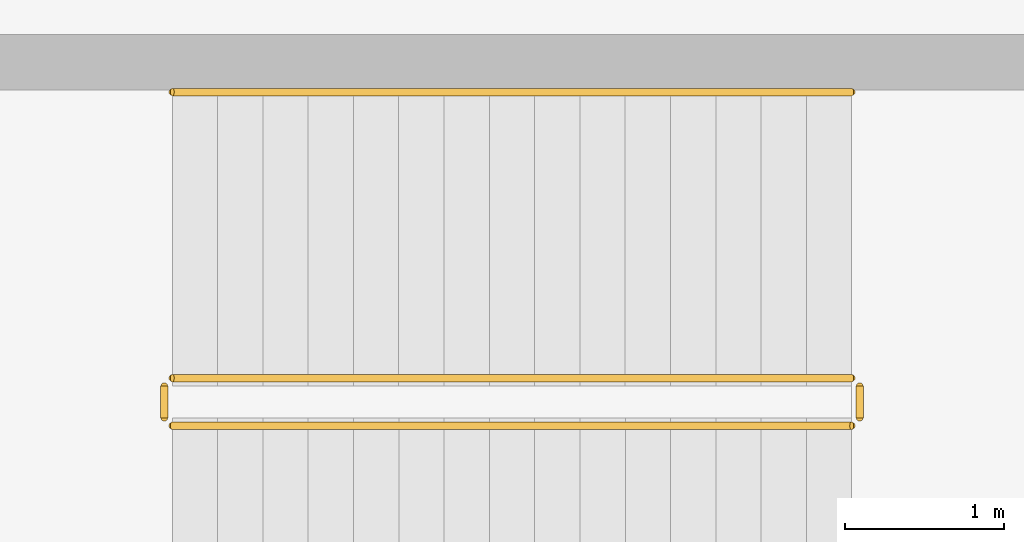
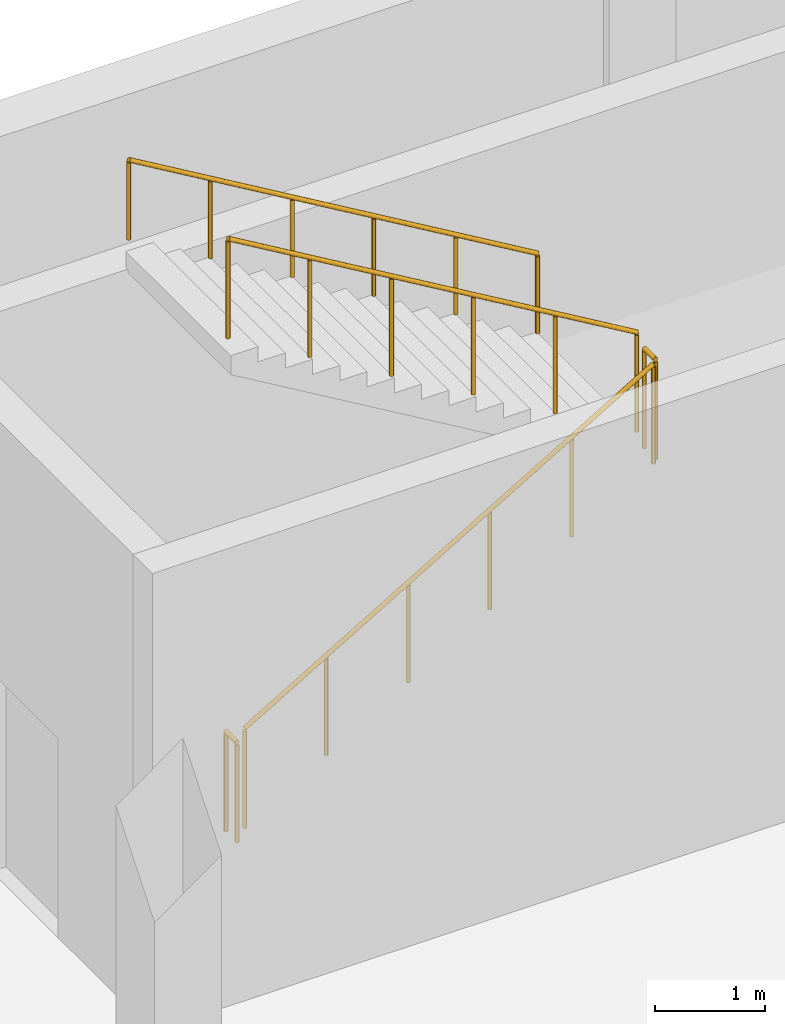
# One storey, part 37 of 41: 5 railings.
"""IFC4 building model written with IfcOpenShell, lengths in metres."""

from ifc_helpers import new_model, si_unit, direction, frame, origin, origin_2d, place, context, subcontext, project, spatial, circle, extrude, material, type_object, element, save


model = new_model("IFC4")

# Units and contexts
model_context = context("Model", 3, precision=1e-05, world=origin(), true_north=direction((0.0, 1.0)))
body_context = subcontext(model_context, "Body", "Model", "MODEL_VIEW")
ifc_project = project(units=[si_unit("LENGTHUNIT", "METRE"), si_unit("AREAUNIT", "SQUARE_METRE"), si_unit("VOLUMEUNIT", "CUBIC_METRE"), si_unit("PLANEANGLEUNIT", "RADIAN"), si_unit("MASSUNIT", "GRAM", prefix="KILO")], contexts=[model_context])

# Site, building, storey
site_placement = place(None, origin())
site = spatial("IfcSite", under=ifc_project, at=site_placement, CompositionType="ELEMENT")
building_placement = place(site_placement, origin())
building = spatial("IfcBuilding", under=site, at=building_placement, Name="Shalvenor Court Art Gallery", CompositionType="ELEMENT")
storey_placement = place(building_placement, frame((0.0, 0.0, -5.39990234375)))
storey = spatial("IfcBuildingStorey", under=building, at=storey_placement, Name="B01", CompositionType="ELEMENT", Elevation=-5.39990234375)

# Railings
ifc_material_1 = material(Name="Painted steel post-and-rail guard", Category="steel")
railing_type_1 = type_object("IfcRailingType", Name="GR-02", PredefinedType="GUARDRAIL", material=ifc_material_1)
railing_1_placement = place(storey_placement, frame((12.5, 117.64990234375, 0.168701171875)))
element("IfcRailing", 1, at=railing_1_placement, inside=storey, type_object=railing_type_1, Name="B01 ST-06 Stair Guard 1", PredefinedType="GUARDRAIL", context=body_context, shape_type="SweptSolid", body=[
    extrude(circle(Radius=0.02392578125, at=origin_2d()), frame((0.0, 0.0, 1.09619140625), z_axis=(0.860470286479, 0.0, 0.509500624227), x_axis=(0.0, 1.0, 0.0)), (0.0, 0.0, 1.0), 4.968017578125),
    extrude(circle(Radius=0.02099609375, at=origin_2d()), origin(), (0.0, 0.0, 1.0), 1.072021484375),
    extrude(circle(Radius=0.02099609375, at=origin_2d()), frame((0.85498046875, 0.0, 0.50634765625)), (0.0, 0.0, 1.0), 1.072021484375),
    extrude(circle(Radius=0.02099609375, at=origin_2d()), frame((1.7099609375, 0.0, 1.012451171875)), (0.0, 0.0, 1.0), 1.072021484375),
    extrude(circle(Radius=0.02099609375, at=origin_2d()), frame((2.56494140625, 0.0, 1.518798828125)), (0.0, 0.0, 1.0), 1.072021484375),
    extrude(circle(Radius=0.02099609375, at=origin_2d()), frame((3.419921875, 0.0, 2.02490234375)), (0.0, 0.0, 1.0), 1.072021484375),
    extrude(circle(Radius=0.02099609375, at=origin_2d()), frame((4.27490234375, 0.0, 2.53125)), (0.0, 0.0, 1.0), 1.072021484375),
])
railing_2_placement = place(storey_placement, frame((16.824951171875, 117.699951171875, 2.699951171875)))
element("IfcRailing", 2, at=railing_2_placement, inside=storey, type_object=railing_type_1, Name="B01 ST-06 Stair Guard 2", PredefinedType="GUARDRAIL", context=body_context, shape_type="SweptSolid", body=[
    extrude(circle(Radius=0.02392578125, at=origin_2d()), frame((0.0, 0.0, 1.09619140625), z_axis=(0.0, 1.0, 0.0), x_axis=(-1.0, 0.0, 0.0)), (0.0, 0.0, 1.0), 0.199951171875),
    extrude(circle(Radius=0.02099609375, at=origin_2d()), origin(), (0.0, 0.0, 1.0), 1.072021484375),
    extrude(circle(Radius=0.02099609375, at=origin_2d()), frame((0.0, 0.199951171875, 0.0)), (0.0, 0.0, 1.0), 1.072021484375),
])
railing_3_placement = place(storey_placement, frame((16.77490234375, 117.949951171875, 2.86865234375)))
element("IfcRailing", 3, at=railing_3_placement, inside=storey, type_object=railing_type_1, Name="B01 ST-06 Stair Guard 3", PredefinedType="GUARDRAIL", context=body_context, shape_type="SweptSolid", body=[
    extrude(circle(Radius=0.02392578125, at=origin_2d()), frame((0.0, 0.0, 1.09619140625), z_axis=(-0.860470286479, 0.0, 0.509500624227), x_axis=(0.0, -1.0, 0.0)), (0.0, 0.0, 1.0), 4.968017578125),
    extrude(circle(Radius=0.02099609375, at=origin_2d()), origin(), (0.0, 0.0, 1.0), 1.072021484375),
    extrude(circle(Radius=0.02099609375, at=origin_2d()), frame((-0.85498046875, 0.0, 0.50634765625)), (0.0, 0.0, 1.0), 1.072021484375),
    extrude(circle(Radius=0.02099609375, at=origin_2d()), frame((-1.7099609375, 0.0, 1.012451171875)), (0.0, 0.0, 1.0), 1.072021484375),
    extrude(circle(Radius=0.02099609375, at=origin_2d()), frame((-2.56494140625, 0.0, 1.518798828125)), (0.0, 0.0, 1.0), 1.072021484375),
    extrude(circle(Radius=0.02099609375, at=origin_2d()), frame((-3.419921875, 0.0, 2.02490234375)), (0.0, 0.0, 1.0), 1.072021484375),
    extrude(circle(Radius=0.02099609375, at=origin_2d()), frame((-4.27490234375, 0.0, 2.53125)), (0.0, 0.0, 1.0), 1.072021484375),
])
railing_4_placement = place(storey_placement, frame((12.449951171875, 117.699951171875, 0.0)))
element("IfcRailing", 4, at=railing_4_placement, inside=storey, type_object=railing_type_1, Name="B01 ST-06 Stair Guard 4", PredefinedType="GUARDRAIL", context=body_context, shape_type="SweptSolid", body=[
    extrude(circle(Radius=0.02392578125, at=origin_2d()), frame((0.0, 0.0, 1.09619140625), z_axis=(0.0, 1.0, 0.0), x_axis=(-1.0, 0.0, 0.0)), (0.0, 0.0, 1.0), 0.199951171875),
    extrude(circle(Radius=0.02099609375, at=origin_2d()), origin(), (0.0, 0.0, 1.0), 1.072021484375),
    extrude(circle(Radius=0.02099609375, at=origin_2d()), frame((0.0, 0.199951171875, 0.0)), (0.0, 0.0, 1.0), 1.072021484375),
])
ifc_material_2 = material(Name="Brushed stainless steel handrail", Category="steel")
railing_type_2 = type_object("IfcRailingType", Name="HR-01", PredefinedType="HANDRAIL", material=ifc_material_2)
railing_5_placement = place(storey_placement, frame((16.77490234375, 119.75, 2.86865234375)))
element("IfcRailing", 5, at=railing_5_placement, inside=storey, type_object=railing_type_2, Name="B01 ST-06 Stair Handrail 2", PredefinedType="HANDRAIL", context=body_context, shape_type="SweptSolid", body=[
    extrude(circle(Radius=0.02392578125, at=origin_2d()), frame((0.0, 0.0, 0.8759765625), z_axis=(-0.860470286479, 0.0, 0.509500624227), x_axis=(0.0, -1.0, 0.0)), (0.0, 0.0, 1.0), 4.968017578125),
    extrude(circle(Radius=0.02099609375, at=origin_2d()), origin(), (0.0, 0.0, 1.0), 0.851806640625),
    extrude(circle(Radius=0.02099609375, at=origin_2d()), frame((-0.85498046875, 0.0, 0.50634765625)), (0.0, 0.0, 1.0), 0.851806640625),
    extrude(circle(Radius=0.02099609375, at=origin_2d()), frame((-1.7099609375, 0.0, 1.012451171875)), (0.0, 0.0, 1.0), 0.851806640625),
    extrude(circle(Radius=0.02099609375, at=origin_2d()), frame((-2.56494140625, 0.0, 1.518798828125)), (0.0, 0.0, 1.0), 0.851806640625),
    extrude(circle(Radius=0.02099609375, at=origin_2d()), frame((-3.419921875, 0.0, 2.02490234375)), (0.0, 0.0, 1.0), 0.851806640625),
    extrude(circle(Radius=0.02099609375, at=origin_2d()), frame((-4.27490234375, 0.0, 2.53125)), (0.0, 0.0, 1.0), 0.851806640625),
])

save(model, "model.ifc")
